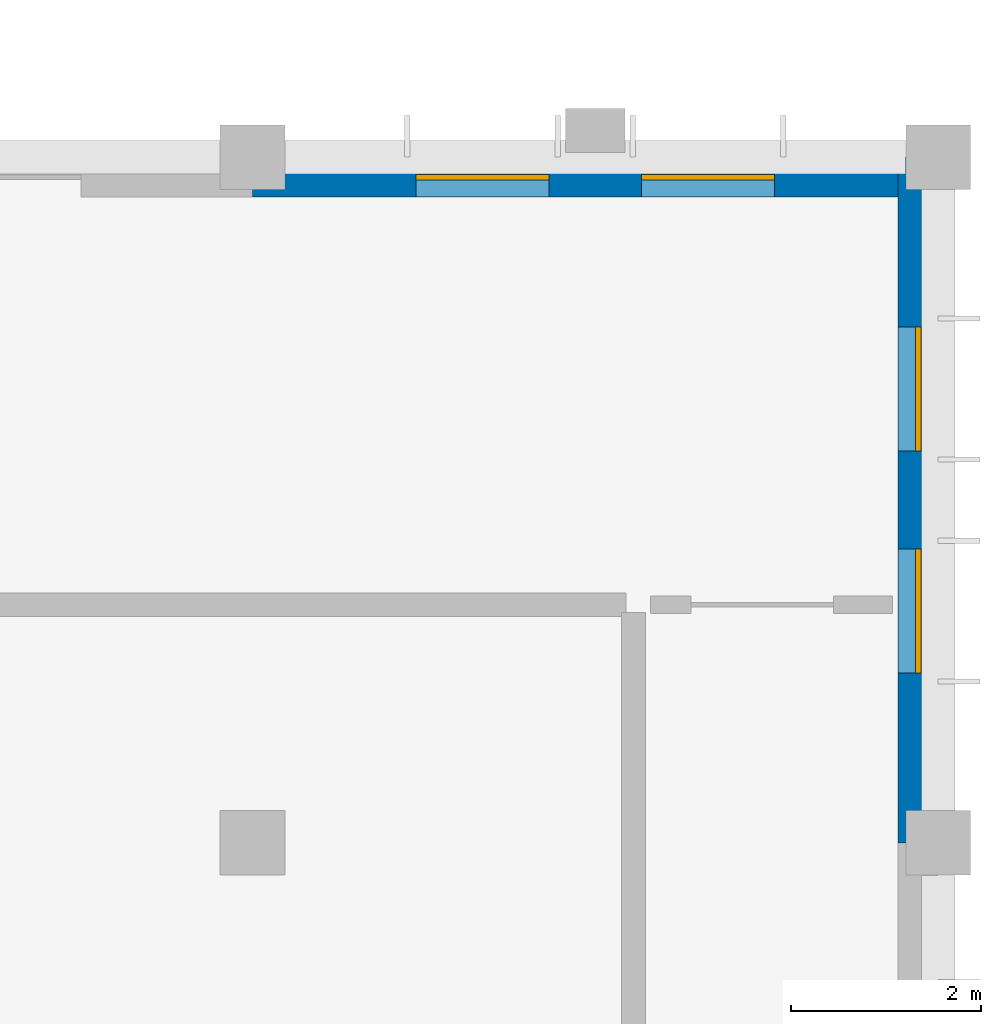
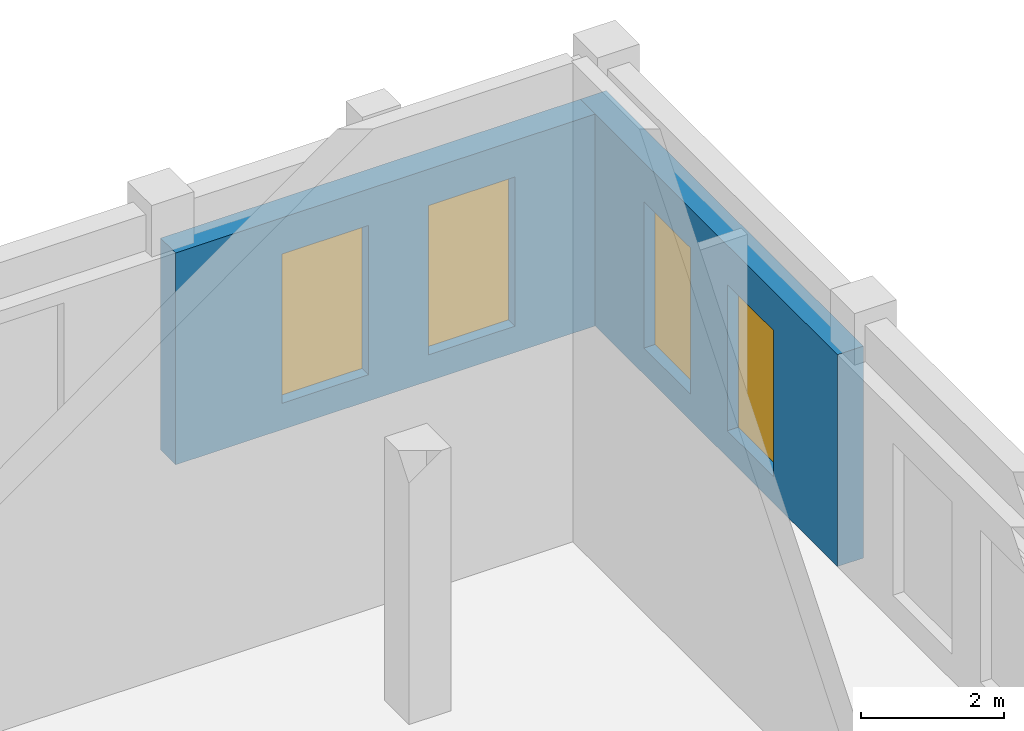
# One storey, part 31 of 43: 4 windows, 2 walls, 4 openings.
"""IFC4 building model written with IfcOpenShell, lengths in metres."""

from ifc_helpers import new_model, si_unit, direction, frame, frame_2d, origin, place, context, subcontext, project, spatial, rectangle, extrude, material, layer, layer_set, type_object, element, fill, save


model = new_model("IFC4")

# Units and contexts
model_context = context("Model", 3, precision=1e-05, world=origin(), true_north=direction((0.0, 1.0)))
body_context = subcontext(model_context, "Body", "Model", "MODEL_VIEW")
ifc_project = project(units=[si_unit("LENGTHUNIT", "METRE"), si_unit("AREAUNIT", "SQUARE_METRE"), si_unit("VOLUMEUNIT", "CUBIC_METRE"), si_unit("PLANEANGLEUNIT", "RADIAN"), si_unit("MASSUNIT", "GRAM", prefix="KILO")], contexts=[model_context])

# Site, building, storey
site_placement = place(None, origin())
site = spatial("IfcSite", under=ifc_project, at=site_placement, CompositionType="ELEMENT")
building_placement = place(site_placement, origin())
building = spatial("IfcBuilding", under=site, at=building_placement, Name="Alvorim Cloister Faculty of Sciences", CompositionType="ELEMENT")
storey_placement = place(building_placement, origin())
storey = spatial("IfcBuildingStorey", under=building, at=storey_placement, Name="L00", CompositionType="ELEMENT", Elevation=0.0)

# Wall, openings, windows
ifc_material_1 = material(Name="Maua Grey Granite Stone", Category="masonry")
ifc_layer = layer(ifc_material_1, 0.419921875)
ifc_layer_set = layer_set([ifc_layer], Name="Maua Grey Granite Stone")
wall_type = type_object("IfcWallType", Name="WL-EXT-GRN-420", PredefinedType="SOLIDWALL", material=ifc_layer_set)
wall_1_placement = place(storey_placement, frame((158.39990234375, 28.590087890625, 0.0), z_axis=(0.0, 0.0, 1.0), x_axis=(1.0, 0.0, 0.0)))
wall_1 = element("IfcWall", 1, at=wall_1_placement, inside=storey, type_object=wall_type, Name="L00 Exterior Wall WL-0083", PredefinedType="SOLIDWALL", context=body_context, shape_type="SweptSolid", body=[
    extrude(rectangle(XDim=7.2001953125, YDim=0.419921875, at=frame_2d((3.60009765625, 0.0))), origin(), (0.0, 0.0, 1.0), 3.6201171875),
])
opening_1_placement = place(wall_1_placement, frame((1.716796875, 0.0, 0.449951171875)))
opening_1 = element("IfcOpeningElement", 2, at=opening_1_placement, cuts=wall_1, Name="Opening W-13", PredefinedType="OPENING", context=body_context, shape_type="SweptSolid", body=[
    extrude(rectangle(XDim=1.39990234375, YDim=2.550048828125, at=frame_2d((0.699951171875, 1.27490234375))), frame((0.0, 0.221923828125, 0.0), z_axis=(0.0, -1.0, 0.0), x_axis=(1.0, 0.0, 0.0)), (0.0, 0.0, 1.0), 0.44384765625),
])
opening_2_placement = place(wall_1_placement, frame((4.083251953125, 0.0, 0.449951171875)))
opening_2 = element("IfcOpeningElement", 3, at=opening_2_placement, cuts=wall_1, Name="Opening W-13", PredefinedType="OPENING", context=body_context, shape_type="SweptSolid", body=[
    extrude(rectangle(XDim=1.39990234375, YDim=2.550048828125, at=frame_2d((0.699951171875, 1.27490234375))), frame((0.0, 0.221923828125, 0.0), z_axis=(0.0, -1.0, 0.0), x_axis=(1.0, 0.0, 0.0)), (0.0, 0.0, 1.0), 0.44384765625),
])
ifc_material_2 = material(Name="Double Low-E Laminated Glass", Category="glass")
window_type_1 = type_object("IfcWindowType", Name="WN-LIB-1400x2550", PartitioningType="SINGLE_PANEL", PredefinedType="WINDOW", material=ifc_material_2)
window_1_placement = place(opening_1_placement, origin())
window_1 = element("IfcWindow", 4, at=window_1_placement, inside=storey, type_object=window_type_1, Name="L00 Gothic Lancet Window WN-0100", OverallHeight=2.550048828125, OverallWidth=1.39990234375, PartitioningType="SINGLE_PANEL", PredefinedType="WINDOW", context=body_context, shape_type="SweptSolid", body=[
    extrude(rectangle(XDim=1.39990234375, YDim=2.550048828125, at=frame_2d((0.699951171875, 1.27490234375))), frame((0.0, 0.030029296875, 0.0), z_axis=(0.0, -1.0, 0.0), x_axis=(1.0, 0.0, 0.0)), (0.0, 0.0, 1.0), 0.06005859375),
])
fill(opening_1, window_1)
window_2_placement = place(opening_2_placement, origin())
window_2 = element("IfcWindow", 5, at=window_2_placement, inside=storey, type_object=window_type_1, Name="L00 Gothic Lancet Window WN-0101", OverallHeight=2.550048828125, OverallWidth=1.39990234375, PartitioningType="SINGLE_PANEL", PredefinedType="WINDOW", context=body_context, shape_type="SweptSolid", body=[
    extrude(rectangle(XDim=1.39990234375, YDim=2.550048828125, at=frame_2d((0.699951171875, 1.27490234375))), frame((0.0, 0.030029296875, 0.0), z_axis=(0.0, -1.0, 0.0), x_axis=(1.0, 0.0, 0.0)), (0.0, 0.0, 1.0), 0.06005859375),
])
fill(opening_2, window_2)

wall_2_placement = place(storey_placement, frame((165.389892578125, 21.60009765625, 0.0), z_axis=(0.0, 0.0, 1.0), x_axis=(0.0, 1.0, 0.0)))
wall_2 = element("IfcWall", 6, at=wall_2_placement, inside=storey, type_object=wall_type, Name="L00 Exterior Wall WL-0084", PredefinedType="SOLIDWALL", context=body_context, shape_type="SweptSolid", body=[
    extrude(rectangle(XDim=7.199951171875, YDim=0.419921875, at=frame_2d((3.60009765625, 0.0))), origin(), (0.0, 0.0, 1.0), 3.6201171875),
])
opening_3_placement = place(wall_2_placement, frame((1.783203125, 0.0, 0.449951171875)))
opening_3 = element("IfcOpeningElement", 7, at=opening_3_placement, cuts=wall_2, Name="Opening W-14", PredefinedType="OPENING", context=body_context, shape_type="SweptSolid", body=[
    extrude(rectangle(XDim=1.300048828125, YDim=2.5, at=frame_2d((0.64990234375, 1.25))), frame((0.0, 0.221923828125, 0.0), z_axis=(0.0, -1.0, 0.0), x_axis=(1.0, 0.0, 0.0)), (0.0, 0.0, 1.0), 0.44384765625),
])
opening_4_placement = place(wall_2_placement, frame((4.11669921875, 0.0, 0.449951171875)))
opening_4 = element("IfcOpeningElement", 8, at=opening_4_placement, cuts=wall_2, Name="Opening W-14", PredefinedType="OPENING", context=body_context, shape_type="SweptSolid", body=[
    extrude(rectangle(XDim=1.300048828125, YDim=2.5, at=frame_2d((0.64990234375, 1.25))), frame((0.0, 0.221923828125, 0.0), z_axis=(0.0, -1.0, 0.0), x_axis=(1.0, 0.0, 0.0)), (0.0, 0.0, 1.0), 0.44384765625),
])
window_type_2 = type_object("IfcWindowType", Name="WN-LIB-1300x2500", PartitioningType="SINGLE_PANEL", PredefinedType="WINDOW", material=ifc_material_2)
window_3_placement = place(opening_3_placement, origin())
window_3 = element("IfcWindow", 9, at=window_3_placement, inside=storey, type_object=window_type_2, Name="L00 Gothic Lancet Window WN-0102", OverallHeight=2.5, OverallWidth=1.300048828125, PartitioningType="SINGLE_PANEL", PredefinedType="WINDOW", context=body_context, shape_type="SweptSolid", body=[
    extrude(rectangle(XDim=1.300048828125, YDim=2.5, at=frame_2d((0.64990234375, 1.25))), frame((0.0, 0.030029296875, 0.0), z_axis=(0.0, -1.0, 0.0), x_axis=(1.0, 0.0, 0.0)), (0.0, 0.0, 1.0), 0.06005859375),
])
fill(opening_3, window_3)
window_4_placement = place(opening_4_placement, origin())
window_4 = element("IfcWindow", 10, at=window_4_placement, inside=storey, type_object=window_type_2, Name="L00 Gothic Lancet Window WN-0103", OverallHeight=2.5, OverallWidth=1.300048828125, PartitioningType="SINGLE_PANEL", PredefinedType="WINDOW", context=body_context, shape_type="SweptSolid", body=[
    extrude(rectangle(XDim=1.300048828125, YDim=2.5, at=frame_2d((0.64990234375, 1.25))), frame((0.0, 0.030029296875, 0.0), z_axis=(0.0, -1.0, 0.0), x_axis=(1.0, 0.0, 0.0)), (0.0, 0.0, 1.0), 0.06005859375),
])
fill(opening_4, window_4)

save(model, "model.ifc")
